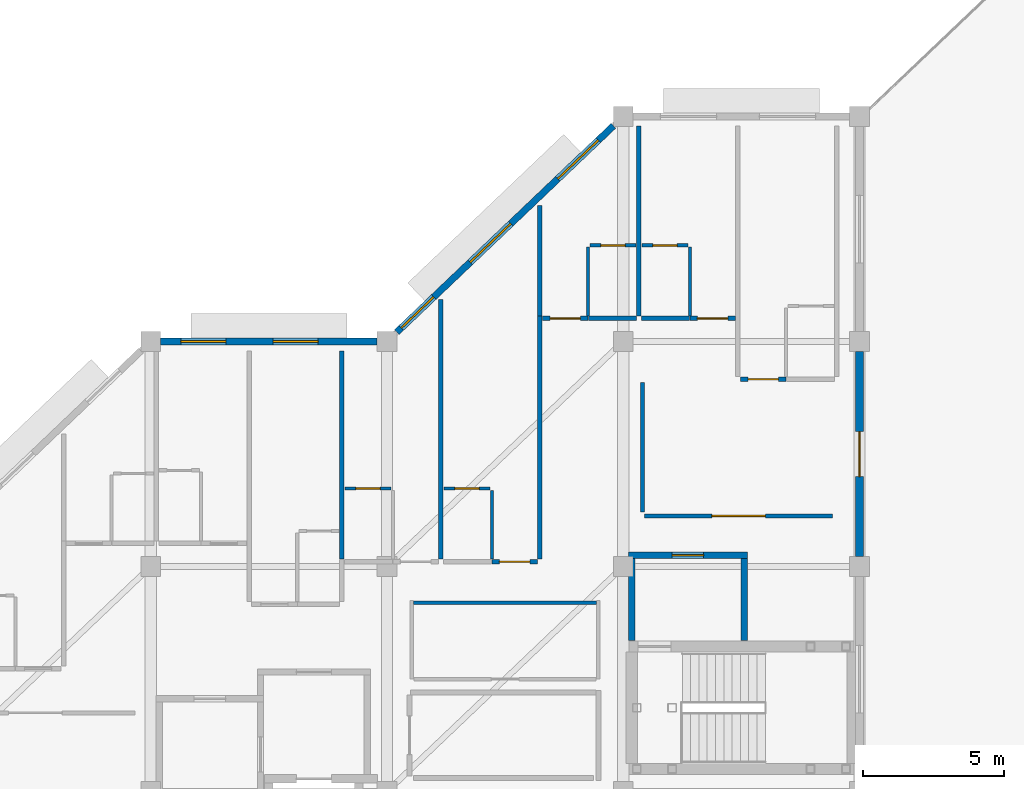
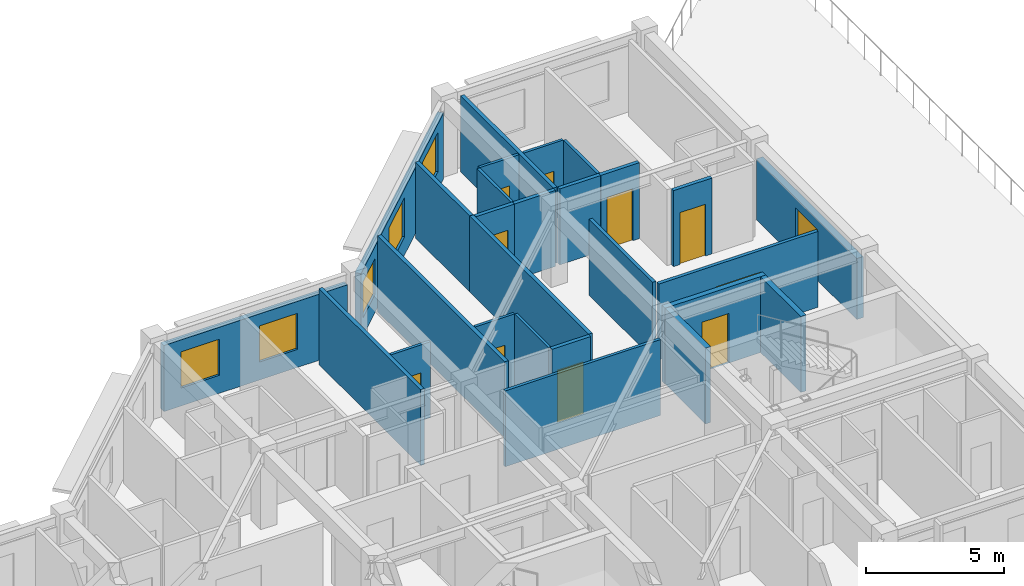
# One storey, part 12 of 16: 27 walls, 11 doors, 5 windows, 16 openings.
"""IFC4 building model written with IfcOpenShell, lengths in metres."""

from ifc_helpers import new_model, si_unit, direction, frame, frame_2d, origin, place, context, subcontext, project, spatial, rectangle, extrude, material, layer, layer_set, type_object, element, fill, save


model = new_model("IFC4")

# Units and contexts
model_context = context("Model", 3, precision=1e-05, world=origin(), true_north=direction((0.0, 1.0)))
body_context = subcontext(model_context, "Body", "Model", "MODEL_VIEW")
ifc_project = project(units=[si_unit("LENGTHUNIT", "METRE"), si_unit("AREAUNIT", "SQUARE_METRE"), si_unit("VOLUMEUNIT", "CUBIC_METRE"), si_unit("PLANEANGLEUNIT", "RADIAN"), si_unit("MASSUNIT", "GRAM", prefix="KILO")], contexts=[model_context])

# Site, building, storey
site_placement = place(None, origin())
site = spatial("IfcSite", under=ifc_project, at=site_placement, CompositionType="ELEMENT")
building_placement = place(site_placement, origin())
building = spatial("IfcBuilding", under=site, at=building_placement, Name="Naruveol Harbour Congress Hotel", CompositionType="ELEMENT")
storey_placement = place(building_placement, frame((0.0, 0.0, 28.800048828125)))
storey = spatial("IfcBuildingStorey", under=building, at=storey_placement, Name="L06", CompositionType="ELEMENT", Elevation=28.800048828125)

# Wall, opening, door
ifc_material_1 = material(Name="Acoustic Double Stud Gypsum", Category="gypsum")
ifc_layer_1 = layer(ifc_material_1, 0.139892578125)
ifc_layer_set_1 = layer_set([ifc_layer_1], Name="Acoustic Double Stud Gypsum")
wall_type_1 = type_object("IfcWallType", Name="ACOUSTIC MEETING PARTITION WALL 140", PredefinedType="PARTITIONING", material=ifc_layer_set_1)
wall_1_placement = place(storey_placement, frame((168.760009765625, 33.800048828125, 0.0), z_axis=(0.0, 0.0, 1.0), x_axis=(1.0, 0.0, 0.0)))
wall_1 = element("IfcWall", 1, at=wall_1_placement, inside=storey, type_object=wall_type_1, Name="Harbour Sunset Salon south entry wall PW-140", PredefinedType="PARTITIONING", context=body_context, shape_type="SweptSolid", body=[
    extrude(rectangle(XDim=6.679931640625, YDim=0.139892578125, at=frame_2d((3.33984375, 0.0))), origin(), (0.0, 0.0, 1.0), 3.364990234375),
])
opening_1_placement = place(wall_1_placement, frame((2.389892578125, 0.0, 0.0)))
opening_1 = element("IfcOpeningElement", 2, at=opening_1_placement, cuts=wall_1, Name="Opening ID-LG-111", PredefinedType="OPENING", context=body_context, shape_type="SweptSolid", body=[
    extrude(rectangle(XDim=1.89990234375, YDim=2.39990234375, at=frame_2d((0.949951171875, 1.199951171875))), frame((0.0, 0.079833984375, 0.0), z_axis=(0.0, -1.0, 0.0), x_axis=(1.0, 0.0, 0.0)), (0.0, 0.0, 1.0), 0.159912109375),
])
ifc_material_2 = material(Name="Timber & Steel Acoustic Leaf", Category="steel")
door_type_1 = type_object("IfcDoorType", Name="RESTAURANT AND LOUNGE GLAZED DOOR 1900X2400", OperationType="DOUBLE_DOOR_SINGLE_SWING", PredefinedType="DOOR", material=ifc_material_2)
door_1_placement = place(opening_1_placement, origin())
door_1 = element("IfcDoor", 3, at=door_1_placement, inside=storey, type_object=door_type_1, Name="Harbour Sunset Salon Entrance Door", OperationType="DOUBLE_DOOR_SINGLE_SWING", OverallHeight=2.39990234375, OverallWidth=1.89990234375, PredefinedType="DOOR", context=body_context, shape_type="SweptSolid", body=[
    extrude(rectangle(XDim=1.89990234375, YDim=2.39990234375, at=frame_2d((0.949951171875, 1.199951171875))), frame((0.0, 0.02490234375, 0.0), z_axis=(0.0, -1.0, 0.0), x_axis=(1.0, 0.0, 0.0)), (0.0, 0.0, 1.0), 0.050048828125),
])
fill(opening_1, door_1)

# Wall
wall_2_placement = place(storey_placement, frame((168.679931640625, 33.93994140625, 0.0), z_axis=(0.0, 0.0, 1.0), x_axis=(0.0, 1.0, 0.0)))
element("IfcWall", 4, at=wall_2_placement, inside=storey, type_object=wall_type_1, Name="Harbour Sunset Salon west partition PW-140", PredefinedType="PARTITIONING", context=body_context, shape_type="SweptSolid", body=[
    extrude(rectangle(XDim=4.610107421875, YDim=0.139892578125, at=frame_2d((2.30517578125, 0.0))), origin(), (0.0, 0.0, 1.0), 3.364990234375),
])

# Wall, opening, door
ifc_material_3 = material(Name="Precast concrete C40/50", Category="concrete")
ifc_layer_2 = layer(ifc_material_3, 0.280029296875)
ifc_layer_set_2 = layer_set([ifc_layer_2], Name="Precast concrete C40/50")
wall_type_2 = type_object("IfcWallType", Name="ARCHITECTURAL PRECAST FACADE WALL 280", PredefinedType="SOLIDWALL", material=ifc_layer_set_2)
wall_3_placement = place(storey_placement, frame((176.39990234375, 39.64990234375, 0.0), z_axis=(0.0, 0.0, 1.0), x_axis=(0.0, -1.0, 0.0)))
wall_3 = element("IfcWall", 5, at=wall_3_placement, inside=storey, type_object=wall_type_2, Name="Hotel east gable wall L06 EW-280", PredefinedType="SOLIDWALL", context=body_context, shape_type="SweptSolid", body=[
    extrude(rectangle(XDim=7.2998046875, YDim=0.280029296875, at=frame_2d((3.64990234375, 0.0))), origin(), (0.0, 0.0, 1.0), 2.699951171875),
])
opening_2_placement = place(wall_3_placement, frame((2.85009765625, 0.0, 0.0)))
opening_2 = element("IfcOpeningElement", 6, at=opening_2_placement, cuts=wall_3, Name="Opening ED-TE-L06", PredefinedType="OPENING", context=body_context, shape_type="SweptSolid", body=[
    extrude(rectangle(XDim=1.60009765625, YDim=2.25, at=frame_2d((0.800048828125, 1.125))), frame((0.0, 0.14990234375, 0.0), z_axis=(0.0, -1.0, 0.0), x_axis=(1.0, 0.0, 0.0)), (0.0, 0.0, 1.0), 0.300048828125),
])
ifc_material_4 = material(Name="Powder-Coated Steel & Insulated Glazing", Category="steel")
door_type_2 = type_object("IfcDoorType", Name="HARBOUR GARDEN TERRACE DOOR 1600X2250", OperationType="DOUBLE_DOOR_SINGLE_SWING", PredefinedType="DOOR", material=ifc_material_4)
door_2_placement = place(opening_2_placement, origin())
door_2 = element("IfcDoor", 7, at=door_2_placement, inside=storey, type_object=door_type_2, Name="L06 East Harbour Terrace Door", OperationType="DOUBLE_DOOR_SINGLE_SWING", OverallHeight=2.25, OverallWidth=1.60009765625, PredefinedType="DOOR", context=body_context, shape_type="SweptSolid", body=[
    extrude(rectangle(XDim=1.60009765625, YDim=2.25, at=frame_2d((0.800048828125, 1.125))), frame((0.0, 0.02490234375, 0.0), z_axis=(0.0, -1.0, 0.0), x_axis=(1.0, 0.0, 0.0)), (0.0, 0.0, 1.0), 0.050048828125),
])
fill(opening_2, door_2)

ifc_material_5 = material(Name="Moisture-Resistant Gypsum Partition", Category="gypsum")
ifc_layer_3 = layer(ifc_material_5, 0.114990234375)
ifc_layer_set_3 = layer_set([ifc_layer_3], Name="Moisture-Resistant Gypsum Partition")
wall_type_3 = type_object("IfcWallType", Name="BATHROOM MOISTURE PARTITION WALL 115", PredefinedType="PARTITIONING", material=ifc_layer_set_3)
wall_4_placement = place(storey_placement, frame((158.10009765625, 34.77001953125, 0.0), z_axis=(0.0, 0.0, 1.0), x_axis=(1.0, 0.0, 0.0)))
wall_4 = element("IfcWall", 8, at=wall_4_placement, inside=storey, type_object=wall_type_3, Name="Bathroom north wall 0782 PW-115", PredefinedType="PARTITIONING", context=body_context, shape_type="SweptSolid", body=[
    extrude(rectangle(XDim=1.64990234375, YDim=0.114990234375, at=frame_2d((0.824951171875, 0.0))), origin(), (0.0, 0.0, 1.0), 3.364990234375),
])
opening_3_placement = place(wall_4_placement, frame((0.39501953125, 0.0, 0.0)))
opening_3 = element("IfcOpeningElement", 9, at=opening_3_placement, cuts=wall_4, Name="Opening BD-RM0782", PredefinedType="OPENING", context=body_context, shape_type="SweptSolid", body=[
    extrude(rectangle(XDim=0.860107421875, YDim=2.1201171875, at=frame_2d((0.43017578125, 1.06005859375))), frame((0.0, 0.0673828125, 0.0), z_axis=(0.0, -1.0, 0.0), x_axis=(1.0, 0.0, 0.0)), (0.0, 0.0, 1.0), 0.135009765625),
])
ifc_material_6 = material(Name="Timber & Steel Acoustic Leaf", Category="steel")
door_type_3 = type_object("IfcDoorType", Name="GUEST BATHROOM DOOR 860X2120", OperationType="NOTDEFINED", PredefinedType="DOOR", material=ifc_material_6)
door_3_placement = place(opening_3_placement, origin())
door_3 = element("IfcDoor", 10, at=door_3_placement, inside=storey, type_object=door_type_3, Name="Bathroom Door 0782", OperationType="SINGLE_SWING_RIGHT", OverallHeight=2.1201171875, OverallWidth=0.860107421875, PredefinedType="DOOR", context=body_context, shape_type="SweptSolid", body=[
    extrude(rectangle(XDim=0.860107421875, YDim=2.1201171875, at=frame_2d((0.43017578125, 1.06005859375))), frame((0.0, 0.02490234375, 0.0), z_axis=(0.0, -1.0, 0.0), x_axis=(1.0, 0.0, 0.0)), (0.0, 0.0, 1.0), 0.050048828125),
])
fill(opening_3, door_3)

# Wall
wall_5_placement = place(storey_placement, frame((163.330078125, 32.260009765625, 0.0), z_axis=(0.0, 0.0, 1.0), x_axis=(0.0, 1.0, 0.0)))
element("IfcWall", 11, at=wall_5_placement, inside=storey, type_object=wall_type_3, Name="Bathroom east wall 0783 PW-115", PredefinedType="PARTITIONING", context=body_context, shape_type="SweptSolid", body=[
    extrude(rectangle(XDim=2.449951171875, YDim=0.114990234375, at=frame_2d((1.22509765625, 0.0))), origin(), (0.0, 0.0, 1.0), 3.364990234375),
])

# Wall, opening, door
wall_6_placement = place(storey_placement, frame((161.6201171875, 34.77001953125, 0.0), z_axis=(0.0, 0.0, 1.0), x_axis=(1.0, 0.0, 0.0)))
wall_6 = element("IfcWall", 12, at=wall_6_placement, inside=storey, type_object=wall_type_3, Name="Bathroom north wall 0783 PW-115", PredefinedType="PARTITIONING", context=body_context, shape_type="SweptSolid", body=[
    extrude(rectangle(XDim=1.64990234375, YDim=0.114990234375, at=frame_2d((0.824951171875, 0.0))), origin(), (0.0, 0.0, 1.0), 3.364990234375),
])
opening_4_placement = place(wall_6_placement, frame((0.39501953125, 0.0, 0.0)))
opening_4 = element("IfcOpeningElement", 13, at=opening_4_placement, cuts=wall_6, Name="Opening BD-RM0783", PredefinedType="OPENING", context=body_context, shape_type="SweptSolid", body=[
    extrude(rectangle(XDim=0.860107421875, YDim=2.1201171875, at=frame_2d((0.43017578125, 1.06005859375))), frame((0.0, 0.0673828125, 0.0), z_axis=(0.0, -1.0, 0.0), x_axis=(1.0, 0.0, 0.0)), (0.0, 0.0, 1.0), 0.135009765625),
])
door_4_placement = place(opening_4_placement, origin())
door_4 = element("IfcDoor", 14, at=door_4_placement, inside=storey, type_object=door_type_3, Name="Bathroom Door 0783", OperationType="SINGLE_SWING_RIGHT", OverallHeight=2.1201171875, OverallWidth=0.860107421875, PredefinedType="DOOR", context=body_context, shape_type="SweptSolid", body=[
    extrude(rectangle(XDim=0.860107421875, YDim=2.1201171875, at=frame_2d((0.43017578125, 1.06005859375))), frame((0.0, 0.02490234375, 0.0), z_axis=(0.0, -1.0, 0.0), x_axis=(1.0, 0.0, 0.0)), (0.0, 0.0, 1.0), 0.050048828125),
])
fill(opening_4, door_4)

# Wall
wall_7_placement = place(storey_placement, frame((166.75, 40.909912109375, 0.0), z_axis=(0.0, 0.0, 1.0), x_axis=(0.0, 1.0, 0.0)))
element("IfcWall", 15, at=wall_7_placement, inside=storey, type_object=wall_type_3, Name="Bathroom west wall 0784 PW-115", PredefinedType="PARTITIONING", context=body_context, shape_type="SweptSolid", body=[
    extrude(rectangle(XDim=2.4501953125, YDim=0.114990234375, at=frame_2d((1.22509765625, 0.0))), origin(), (0.0, 0.0, 1.0), 3.364990234375),
])

# Wall, opening, door
wall_8_placement = place(storey_placement, frame((166.81005859375, 43.419921875, 0.0), z_axis=(0.0, 0.0, 1.0), x_axis=(1.0, 0.0, 0.0)))
wall_8 = element("IfcWall", 16, at=wall_8_placement, inside=storey, type_object=wall_type_3, Name="Bathroom north wall 0784 PW-115", PredefinedType="PARTITIONING", context=body_context, shape_type="SweptSolid", body=[
    extrude(rectangle(XDim=1.64990234375, YDim=0.114990234375, at=frame_2d((0.824951171875, 0.0))), origin(), (0.0, 0.0, 1.0), 3.364990234375),
])
opening_5_placement = place(wall_8_placement, frame((0.39501953125, 0.0, 0.0)))
opening_5 = element("IfcOpeningElement", 17, at=opening_5_placement, cuts=wall_8, Name="Opening BD-RM0784", PredefinedType="OPENING", context=body_context, shape_type="SweptSolid", body=[
    extrude(rectangle(XDim=0.860107421875, YDim=2.1201171875, at=frame_2d((0.43017578125, 1.06005859375))), frame((0.0, 0.0673828125, 0.0), z_axis=(0.0, -1.0, 0.0), x_axis=(1.0, 0.0, 0.0)), (0.0, 0.0, 1.0), 0.135009765625),
])
door_5_placement = place(opening_5_placement, origin())
door_5 = element("IfcDoor", 18, at=door_5_placement, inside=storey, type_object=door_type_3, Name="Bathroom Door 0784", OperationType="SINGLE_SWING_RIGHT", OverallHeight=2.1201171875, OverallWidth=0.860107421875, PredefinedType="DOOR", context=body_context, shape_type="SweptSolid", body=[
    extrude(rectangle(XDim=0.860107421875, YDim=2.1201171875, at=frame_2d((0.43017578125, 1.06005859375))), frame((0.0, 0.02490234375, 0.0), z_axis=(0.0, -1.0, 0.0), x_axis=(1.0, 0.0, 0.0)), (0.0, 0.0, 1.0), 0.050048828125),
])
fill(opening_5, door_5)

# Wall
wall_9_placement = place(storey_placement, frame((170.3701171875, 40.909912109375, 0.0), z_axis=(0.0, 0.0, 1.0), x_axis=(0.0, 1.0, 0.0)))
element("IfcWall", 19, at=wall_9_placement, inside=storey, type_object=wall_type_3, Name="Bathroom east wall 0785 PW-115", PredefinedType="PARTITIONING", context=body_context, shape_type="SweptSolid", body=[
    extrude(rectangle(XDim=2.4501953125, YDim=0.114990234375, at=frame_2d((1.22509765625, 0.0))), origin(), (0.0, 0.0, 1.0), 3.364990234375),
])

# Wall, opening, door
wall_10_placement = place(storey_placement, frame((168.659912109375, 43.419921875, 0.0), z_axis=(0.0, 0.0, 1.0), x_axis=(1.0, 0.0, 0.0)))
wall_10 = element("IfcWall", 20, at=wall_10_placement, inside=storey, type_object=wall_type_3, Name="Bathroom north wall 0785 PW-115", PredefinedType="PARTITIONING", context=body_context, shape_type="SweptSolid", body=[
    extrude(rectangle(XDim=1.650146484375, YDim=0.114990234375, at=frame_2d((0.8251953125, 0.0))), origin(), (0.0, 0.0, 1.0), 3.364990234375),
])
opening_6_placement = place(wall_10_placement, frame((0.39501953125, 0.0, 0.0)))
opening_6 = element("IfcOpeningElement", 21, at=opening_6_placement, cuts=wall_10, Name="Opening BD-RM0785", PredefinedType="OPENING", context=body_context, shape_type="SweptSolid", body=[
    extrude(rectangle(XDim=0.860107421875, YDim=2.1201171875, at=frame_2d((0.43017578125, 1.06005859375))), frame((0.0, 0.0673828125, 0.0), z_axis=(0.0, -1.0, 0.0), x_axis=(1.0, 0.0, 0.0)), (0.0, 0.0, 1.0), 0.135009765625),
])
door_6_placement = place(opening_6_placement, origin())
door_6 = element("IfcDoor", 22, at=door_6_placement, inside=storey, type_object=door_type_3, Name="Bathroom Door 0785", OperationType="SINGLE_SWING_RIGHT", OverallHeight=2.1201171875, OverallWidth=0.860107421875, PredefinedType="DOOR", context=body_context, shape_type="SweptSolid", body=[
    extrude(rectangle(XDim=0.860107421875, YDim=2.1201171875, at=frame_2d((0.43017578125, 1.06005859375))), frame((0.0, 0.02490234375, 0.0), z_axis=(0.0, -1.0, 0.0), x_axis=(1.0, 0.0, 0.0)), (0.0, 0.0, 1.0), 0.050048828125),
])
fill(opening_6, door_6)

# Wall
ifc_material_7 = material(Name="Concrete C40/50", Category="concrete")
ifc_layer_4 = layer(ifc_material_7, 0.219970703125)
ifc_layer_set_4 = layer_set([ifc_layer_4], Name="Concrete C40/50")
wall_type_4 = type_object("IfcWallType", Name="FIRE COMPARTMENT AND LOBBY WALL 220 EI120", PredefinedType="PARTITIONING", material=ifc_layer_set_4)
wall_11_placement = place(storey_placement, frame((168.300048828125, 29.364990234375, 0.0), z_axis=(0.0, 0.0, 1.0), x_axis=(0.0, 1.0, 0.0)))
element("IfcWall", 23, at=wall_11_placement, inside=storey, type_object=wall_type_4, Name="Smoke vestibule ST4 west wall FW-220", PredefinedType="PARTITIONING", context=body_context, shape_type="SweptSolid", body=[
    extrude(rectangle(XDim=2.919921875, YDim=0.219970703125, at=frame_2d((1.4599609375, 0.0))), origin(), (0.0, 0.0, 1.0), 3.364990234375),
])

# Wall, opening, door
wall_12_placement = place(storey_placement, frame((168.18994140625, 32.39990234375, 0.0), z_axis=(0.0, 0.0, 1.0), x_axis=(1.0, 0.0, 0.0)))
wall_12 = element("IfcWall", 24, at=wall_12_placement, inside=storey, type_object=wall_type_4, Name="Smoke vestibule ST4 north wall FW-220", PredefinedType="PARTITIONING", context=body_context, shape_type="SweptSolid", body=[
    extrude(rectangle(XDim=4.219970703125, YDim=0.219970703125, at=frame_2d((2.10986328125, 0.0))), origin(), (0.0, 0.0, 1.0), 3.364990234375),
])
opening_7_placement = place(wall_12_placement, frame((1.550048828125, 0.0, 0.0)))
opening_7 = element("IfcOpeningElement", 25, at=opening_7_placement, cuts=wall_12, Name="Opening FD-ST4-V-L06", PredefinedType="OPENING", context=body_context, shape_type="SweptSolid", body=[
    extrude(rectangle(XDim=1.1201171875, YDim=2.199951171875, at=frame_2d((0.56005859375, 1.10009765625))), frame((0.0, 0.119873046875, 0.0), z_axis=(0.0, -1.0, 0.0), x_axis=(1.0, 0.0, 0.0)), (0.0, 0.0, 1.0), 0.239990234375),
])
ifc_material_8 = material(Name="Timber & Steel Acoustic Leaf", Category="steel")
door_type_4 = type_object("IfcDoorType", Name="VESTIBULE SMOKE CONTROL FIRE DOOR 1120X2200", OperationType="NOTDEFINED", PredefinedType="DOOR", material=ifc_material_8)
door_7_placement = place(opening_7_placement, origin())
door_7 = element("IfcDoor", 26, at=door_7_placement, inside=storey, type_object=door_type_4, Name="Smoke Vestibule Entry Door ST4 L06", OperationType="SINGLE_SWING_LEFT", OverallHeight=2.199951171875, OverallWidth=1.1201171875, PredefinedType="DOOR", context=body_context, shape_type="SweptSolid", body=[
    extrude(rectangle(XDim=1.1201171875, YDim=2.199951171875, at=frame_2d((0.56005859375, 1.10009765625))), frame((0.0, 0.02490234375, 0.0), z_axis=(0.0, -1.0, 0.0), x_axis=(1.0, 0.0, 0.0)), (0.0, 0.0, 1.0), 0.050048828125),
])
fill(opening_7, door_7)

# Walls
wall_13_placement = place(storey_placement, frame((172.300048828125, 29.364990234375, 0.0), z_axis=(0.0, 0.0, 1.0), x_axis=(0.0, 1.0, 0.0)))
element("IfcWall", 27, at=wall_13_placement, inside=storey, type_object=wall_type_4, Name="Smoke vestibule ST4 east wall FW-220", PredefinedType="PARTITIONING", context=body_context, shape_type="SweptSolid", body=[
    extrude(rectangle(XDim=2.919921875, YDim=0.219970703125, at=frame_2d((1.4599609375, 0.0))), origin(), (0.0, 0.0, 1.0), 3.364990234375),
])
ifc_material_9 = material(Name="Autoclaved Aerated Concrete Block", Category="concrete")
ifc_layer_5 = layer(ifc_material_9, 0.159912109375)
ifc_layer_set_5 = layer_set([ifc_layer_5], Name="Autoclaved Aerated Concrete Block")
wall_type_5 = type_object("IfcWallType", Name="HOTEL PARTY AND CORRIDOR WALL 160 EI60", PredefinedType="PARTITIONING", material=ifc_layer_set_5)
wall_14_placement = place(storey_placement, frame((158.0, 32.260009765625, 0.0), z_axis=(0.0, 0.0, 1.0), x_axis=(0.0, 1.0, 0.0)))
element("IfcWall", 28, at=wall_14_placement, inside=storey, type_object=wall_type_5, Name="Hotel party wall 0782 PW-160", PredefinedType="PARTITIONING", context=body_context, shape_type="SweptSolid", body=[
    extrude(rectangle(XDim=7.39990234375, YDim=0.159912109375, at=frame_2d((3.699951171875, 0.0))), origin(), (0.0, 0.0, 1.0), 3.364990234375),
])

# Wall, opening, door
wall_15_placement = place(storey_placement, frame((163.330078125, 32.169921875, 0.0), z_axis=(0.0, 0.0, 1.0), x_axis=(1.0, 0.0, 0.0)))
wall_15 = element("IfcWall", 29, at=wall_15_placement, inside=storey, type_object=wall_type_5, Name="Corridor entry wall 0783 PW-160", PredefinedType="PARTITIONING", context=body_context, shape_type="SweptSolid", body=[
    extrude(rectangle(XDim=1.619873046875, YDim=0.159912109375, at=frame_2d((0.81005859375, 0.0))), origin(), (0.0, 0.0, 1.0), 3.364990234375),
])
opening_8_placement = place(wall_15_placement, frame((0.27001953125, 0.0, 0.0)))
opening_8 = element("IfcOpeningElement", 30, at=opening_8_placement, cuts=wall_15, Name="Opening FD-RM0783", PredefinedType="OPENING", context=body_context, shape_type="SweptSolid", body=[
    extrude(rectangle(XDim=1.080078125, YDim=2.300048828125, at=frame_2d((0.5400390625, 1.14990234375))), frame((0.0, 0.08984375, 0.0), z_axis=(0.0, -1.0, 0.0), x_axis=(1.0, 0.0, 0.0)), (0.0, 0.0, 1.0), 0.179931640625),
])
ifc_material_10 = material(Name="Timber & Steel Acoustic Leaf", Category="steel")
door_type_5 = type_object("IfcDoorType", Name="SUITE ENTRANCE FIRE DOOR 1080X2300", OperationType="NOTDEFINED", PredefinedType="DOOR", material=ifc_material_10)
door_8_placement = place(opening_8_placement, origin())
door_8 = element("IfcDoor", 31, at=door_8_placement, inside=storey, type_object=door_type_5, Name="Hotel Room Door 0783", OperationType="SINGLE_SWING_LEFT", OverallHeight=2.300048828125, OverallWidth=1.080078125, PredefinedType="DOOR", context=body_context, shape_type="SweptSolid", body=[
    extrude(rectangle(XDim=1.080078125, YDim=2.300048828125, at=frame_2d((0.5400390625, 1.14990234375))), frame((0.0, 0.02490234375, 0.0), z_axis=(0.0, -1.0, 0.0), x_axis=(1.0, 0.0, 0.0)), (0.0, 0.0, 1.0), 0.050048828125),
])
fill(opening_8, door_8)

# Walls
wall_16_placement = place(storey_placement, frame((161.52001953125, 32.260009765625, 0.0), z_axis=(0.0, 0.0, 1.0), x_axis=(0.0, 1.0, 0.0)))
element("IfcWall", 32, at=wall_16_placement, inside=storey, type_object=wall_type_5, Name="Hotel party wall 0783 PW-160", PredefinedType="PARTITIONING", context=body_context, shape_type="SweptSolid", body=[
    extrude(rectangle(XDim=9.22998046875, YDim=0.159912109375, at=frame_2d((4.614990234375, 0.0))), origin(), (0.0, 0.0, 1.0), 3.364990234375),
])
wall_17_placement = place(storey_placement, frame((165.0400390625, 32.260009765625, 0.0), z_axis=(0.0, 0.0, 1.0), x_axis=(0.0, 1.0, 0.0)))
element("IfcWall", 33, at=wall_17_placement, inside=storey, type_object=wall_type_5, Name="Hotel end party wall 0783 PW-160", PredefinedType="PARTITIONING", context=body_context, shape_type="SweptSolid", body=[
    extrude(rectangle(XDim=8.639892578125, YDim=0.159912109375, at=frame_2d((4.31982421875, 0.0))), origin(), (0.0, 0.0, 1.0), 3.364990234375),
])

# Wall, opening, door
wall_18_placement = place(storey_placement, frame((165.1298828125, 40.820068359375, 0.0), z_axis=(0.0, 0.0, 1.0), x_axis=(1.0, 0.0, 0.0)))
wall_18 = element("IfcWall", 34, at=wall_18_placement, inside=storey, type_object=wall_type_5, Name="Corridor entry wall 0784 PW-160", PredefinedType="PARTITIONING", context=body_context, shape_type="SweptSolid", body=[
    extrude(rectangle(XDim=1.6201171875, YDim=0.159912109375, at=frame_2d((0.81005859375, 0.0))), origin(), (0.0, 0.0, 1.0), 3.364990234375),
])
opening_9_placement = place(wall_18_placement, frame((0.27001953125, 0.0, 0.0)))
opening_9 = element("IfcOpeningElement", 35, at=opening_9_placement, cuts=wall_18, Name="Opening FD-RM0784", PredefinedType="OPENING", context=body_context, shape_type="SweptSolid", body=[
    extrude(rectangle(XDim=1.080078125, YDim=2.300048828125, at=frame_2d((0.5400390625, 1.14990234375))), frame((0.0, 0.08984375, 0.0), z_axis=(0.0, -1.0, 0.0), x_axis=(1.0, 0.0, 0.0)), (0.0, 0.0, 1.0), 0.179931640625),
])
door_9_placement = place(opening_9_placement, origin())
door_9 = element("IfcDoor", 36, at=door_9_placement, inside=storey, type_object=door_type_5, Name="Hotel Room Door 0784", OperationType="SINGLE_SWING_LEFT", OverallHeight=2.300048828125, OverallWidth=1.080078125, PredefinedType="DOOR", context=body_context, shape_type="SweptSolid", body=[
    extrude(rectangle(XDim=1.080078125, YDim=2.300048828125, at=frame_2d((0.5400390625, 1.14990234375))), frame((0.0, 0.02490234375, 0.0), z_axis=(0.0, -1.0, 0.0), x_axis=(1.0, 0.0, 0.0)), (0.0, 0.0, 1.0), 0.050048828125),
])
fill(opening_9, door_9)

# Walls
wall_19_placement = place(storey_placement, frame((166.760009765625, 40.820068359375, 0.0), z_axis=(0.0, 0.0, 1.0), x_axis=(1.0, 0.0, 0.0)))
element("IfcWall", 37, at=wall_19_placement, inside=storey, type_object=wall_type_5, Name="Corridor wall 0784B PW-160", PredefinedType="PARTITIONING", context=body_context, shape_type="SweptSolid", body=[
    extrude(rectangle(XDim=1.7099609375, YDim=0.159912109375, at=frame_2d((0.85498046875, 0.0))), origin(), (0.0, 0.0, 1.0), 3.364990234375),
])
wall_20_placement = place(storey_placement, frame((165.0400390625, 40.909912109375, 0.0), z_axis=(0.0, 0.0, 1.0), x_axis=(0.0, 1.0, 0.0)))
element("IfcWall", 38, at=wall_20_placement, inside=storey, type_object=wall_type_5, Name="Hotel party wall 0784 PW-160", PredefinedType="PARTITIONING", context=body_context, shape_type="SweptSolid", body=[
    extrude(rectangle(XDim=3.93017578125, YDim=0.159912109375, at=frame_2d((1.965087890625, 0.0))), origin(), (0.0, 0.0, 1.0), 3.364990234375),
])
wall_21_placement = place(storey_placement, frame((168.64990234375, 40.820068359375, 0.0), z_axis=(0.0, 0.0, 1.0), x_axis=(1.0, 0.0, 0.0)))
element("IfcWall", 39, at=wall_21_placement, inside=storey, type_object=wall_type_5, Name="Corridor wall 0785B PW-160", PredefinedType="PARTITIONING", context=body_context, shape_type="SweptSolid", body=[
    extrude(rectangle(XDim=1.710205078125, YDim=0.159912109375, at=frame_2d((0.85498046875, 0.0))), origin(), (0.0, 0.0, 1.0), 3.364990234375),
])

# Wall, opening, door
wall_22_placement = place(storey_placement, frame((170.3701171875, 40.820068359375, 0.0), z_axis=(0.0, 0.0, 1.0), x_axis=(1.0, 0.0, 0.0)))
wall_22 = element("IfcWall", 40, at=wall_22_placement, inside=storey, type_object=wall_type_5, Name="Corridor entry wall 0785 PW-160", PredefinedType="PARTITIONING", context=body_context, shape_type="SweptSolid", body=[
    extrude(rectangle(XDim=1.619873046875, YDim=0.159912109375, at=frame_2d((0.81005859375, 0.0))), origin(), (0.0, 0.0, 1.0), 3.364990234375),
])
opening_10_placement = place(wall_22_placement, frame((0.27001953125, 0.0, 0.0)))
opening_10 = element("IfcOpeningElement", 41, at=opening_10_placement, cuts=wall_22, Name="Opening FD-RM0785", PredefinedType="OPENING", context=body_context, shape_type="SweptSolid", body=[
    extrude(rectangle(XDim=1.080078125, YDim=2.300048828125, at=frame_2d((0.5400390625, 1.14990234375))), frame((0.0, 0.08984375, 0.0), z_axis=(0.0, -1.0, 0.0), x_axis=(1.0, 0.0, 0.0)), (0.0, 0.0, 1.0), 0.179931640625),
])
door_10_placement = place(opening_10_placement, origin())
door_10 = element("IfcDoor", 42, at=door_10_placement, inside=storey, type_object=door_type_5, Name="Hotel Room Door 0785", OperationType="SINGLE_SWING_LEFT", OverallHeight=2.300048828125, OverallWidth=1.080078125, PredefinedType="DOOR", context=body_context, shape_type="SweptSolid", body=[
    extrude(rectangle(XDim=1.080078125, YDim=2.300048828125, at=frame_2d((0.5400390625, 1.14990234375))), frame((0.0, 0.02490234375, 0.0), z_axis=(0.0, -1.0, 0.0), x_axis=(1.0, 0.0, 0.0)), (0.0, 0.0, 1.0), 0.050048828125),
])
fill(opening_10, door_10)

# Wall
wall_23_placement = place(storey_placement, frame((168.56005859375, 40.909912109375, 0.0), z_axis=(0.0, 0.0, 1.0), x_axis=(0.0, 1.0, 0.0)))
element("IfcWall", 43, at=wall_23_placement, inside=storey, type_object=wall_type_5, Name="Hotel party wall 0785 PW-160", PredefinedType="PARTITIONING", context=body_context, shape_type="SweptSolid", body=[
    extrude(rectangle(XDim=6.75, YDim=0.159912109375, at=frame_2d((3.375, 0.0))), origin(), (0.0, 0.0, 1.0), 3.364990234375),
])

# Wall, opening, door
wall_24_placement = place(storey_placement, frame((172.169921875, 38.659912109375, 0.0), z_axis=(0.0, 0.0, 1.0), x_axis=(1.0, 0.0, 0.0)))
wall_24 = element("IfcWall", 44, at=wall_24_placement, inside=storey, type_object=wall_type_5, Name="Corridor entry wall 0786 PW-160", PredefinedType="PARTITIONING", context=body_context, shape_type="SweptSolid", body=[
    extrude(rectangle(XDim=1.6201171875, YDim=0.159912109375, at=frame_2d((0.81005859375, 0.0))), origin(), (0.0, 0.0, 1.0), 3.364990234375),
])
opening_11_placement = place(wall_24_placement, frame((0.27001953125, 0.0, 0.0)))
opening_11 = element("IfcOpeningElement", 45, at=opening_11_placement, cuts=wall_24, Name="Opening FD-RM0786", PredefinedType="OPENING", context=body_context, shape_type="SweptSolid", body=[
    extrude(rectangle(XDim=1.080078125, YDim=2.300048828125, at=frame_2d((0.5400390625, 1.14990234375))), frame((0.0, 0.08984375, 0.0), z_axis=(0.0, -1.0, 0.0), x_axis=(1.0, 0.0, 0.0)), (0.0, 0.0, 1.0), 0.179931640625),
])
door_11_placement = place(opening_11_placement, origin())
door_11 = element("IfcDoor", 46, at=door_11_placement, inside=storey, type_object=door_type_5, Name="Hotel Room Door 0786", OperationType="SINGLE_SWING_LEFT", OverallHeight=2.300048828125, OverallWidth=1.080078125, PredefinedType="DOOR", context=body_context, shape_type="SweptSolid", body=[
    extrude(rectangle(XDim=1.080078125, YDim=2.300048828125, at=frame_2d((0.5400390625, 1.14990234375))), frame((0.0, 0.02490234375, 0.0), z_axis=(0.0, -1.0, 0.0), x_axis=(1.0, 0.0, 0.0)), (0.0, 0.0, 1.0), 0.050048828125),
])
fill(opening_11, door_11)

# Wall, openings, windows
ifc_material_11 = material(Name="Concrete C40/50", Category="concrete")
ifc_layer_6 = layer(ifc_material_11, 0.239990234375)
ifc_layer_set_6 = layer_set([ifc_layer_6], Name="Concrete C40/50")
wall_type_6 = type_object("IfcWallType", Name="INSULATED HOTEL SPANDREL WALL 240", PredefinedType="SOLIDWALL", material=ifc_layer_set_6)
wall_25_placement = place(storey_placement, frame((151.550048828125, 40.0, 0.0), z_axis=(0.0, 0.0, 1.0), x_axis=(1.0, 0.0, 0.0)))
wall_25 = element("IfcWall", 47, at=wall_25_placement, inside=storey, type_object=wall_type_6, Name="Hotel north bay wall L06 EW-240", PredefinedType="SOLIDWALL", context=body_context, shape_type="SweptSolid", body=[
    extrude(rectangle(XDim=7.699951171875, YDim=0.239990234375, at=frame_2d((3.85009765625, 0.0))), origin(), (0.0, 0.0, 1.0), 2.929931640625),
])
opening_12_placement = place(wall_25_placement, frame((0.72509765625, 0.0, 0.800048828125)))
opening_12 = element("IfcOpeningElement", 48, at=opening_12_placement, cuts=wall_25, Name="Opening W-03", PredefinedType="OPENING", context=body_context, shape_type="SweptSolid", body=[
    extrude(rectangle(XDim=1.60009765625, YDim=1.60009765625, at=frame_2d((0.800048828125, 0.800048828125))), frame((0.0, 0.1298828125, 0.0), z_axis=(0.0, -1.0, 0.0), x_axis=(1.0, 0.0, 0.0)), (0.0, 0.0, 1.0), 0.260009765625),
])
opening_13_placement = place(wall_25_placement, frame((4.0, 0.0, 0.800048828125)))
opening_13 = element("IfcOpeningElement", 49, at=opening_13_placement, cuts=wall_25, Name="Opening W-03", PredefinedType="OPENING", context=body_context, shape_type="SweptSolid", body=[
    extrude(rectangle(XDim=1.60009765625, YDim=1.60009765625, at=frame_2d((0.800048828125, 0.800048828125))), frame((0.0, 0.1298828125, 0.0), z_axis=(0.0, -1.0, 0.0), x_axis=(1.0, 0.0, 0.0)), (0.0, 0.0, 1.0), 0.260009765625),
])
ifc_material_12 = material(Name="Low-E Triple Glazing in Thermal Aluminium", Category="aluminium")
window_type_1 = type_object("IfcWindowType", Name="DELUXE GUEST WINDOW 1600X1600", PartitioningType="SINGLE_PANEL", PredefinedType="WINDOW", material=ifc_material_12)
window_1_placement = place(opening_12_placement, origin())
window_1 = element("IfcWindow", 50, at=window_1_placement, inside=storey, type_object=window_type_1, Name="Window W-03 #363", OverallHeight=1.60009765625, OverallWidth=1.60009765625, PartitioningType="SINGLE_PANEL", PredefinedType="WINDOW", context=body_context, shape_type="SweptSolid", body=[
    extrude(rectangle(XDim=1.60009765625, YDim=1.60009765625, at=frame_2d((0.800048828125, 0.800048828125))), frame((0.0, 0.030029296875, 0.0), z_axis=(0.0, -1.0, 0.0), x_axis=(1.0, 0.0, 0.0)), (0.0, 0.0, 1.0), 0.06005859375),
])
fill(opening_12, window_1)
window_2_placement = place(opening_13_placement, origin())
window_2 = element("IfcWindow", 51, at=window_2_placement, inside=storey, type_object=window_type_1, Name="Window W-03 #364", OverallHeight=1.60009765625, OverallWidth=1.60009765625, PartitioningType="SINGLE_PANEL", PredefinedType="WINDOW", context=body_context, shape_type="SweptSolid", body=[
    extrude(rectangle(XDim=1.60009765625, YDim=1.60009765625, at=frame_2d((0.800048828125, 0.800048828125))), frame((0.0, 0.030029296875, 0.0), z_axis=(0.0, -1.0, 0.0), x_axis=(1.0, 0.0, 0.0)), (0.0, 0.0, 1.0), 0.06005859375),
])
fill(opening_13, window_2)

wall_26_placement = place(storey_placement, frame((159.949951171875, 40.3330078125, 0.0), z_axis=(0.0, 0.0, 1.0), x_axis=(0.724105170588, 0.689689569247, 0.0)))
wall_26 = element("IfcWall", 52, at=wall_26_placement, inside=storey, type_object=wall_type_6, Name="Hotel north bay wall L06 EW-240", PredefinedType="SOLIDWALL", context=body_context, shape_type="SweptSolid", body=[
    extrude(rectangle(XDim=10.6337890625, YDim=0.239990234375, at=frame_2d((5.31689453125, 0.0))), origin(), (0.0, 0.0, 1.0), 2.929931640625),
])
opening_14_placement = place(wall_26_placement, frame((0.215087890625, 0.0, 0.800048828125)))
opening_14 = element("IfcOpeningElement", 53, at=opening_14_placement, cuts=wall_26, Name="Opening W-03", PredefinedType="OPENING", context=body_context, shape_type="SweptSolid", body=[
    extrude(rectangle(XDim=1.60009765625, YDim=1.60009765625, at=frame_2d((0.800048828125, 0.800048828125))), frame((0.0, 0.1298828125, 0.0), z_axis=(0.0, -1.0, 0.0), x_axis=(1.0, 0.0, 0.0)), (0.0, 0.0, 1.0), 0.260009765625),
])
opening_15_placement = place(wall_26_placement, frame((3.59912109375, 0.0, 0.800048828125)))
opening_15 = element("IfcOpeningElement", 54, at=opening_15_placement, cuts=wall_26, Name="Opening W-05", PredefinedType="OPENING", context=body_context, shape_type="SweptSolid", body=[
    extrude(rectangle(XDim=2.0, YDim=1.75, at=frame_2d((1.0, 0.875))), frame((0.0, 0.1298828125, 0.0), z_axis=(0.0, -1.0, 0.0), x_axis=(1.0, 0.0, 0.0)), (0.0, 0.0, 1.0), 0.260009765625),
])
opening_16_placement = place(wall_26_placement, frame((7.90087890625, 0.0, 0.800048828125)))
opening_16 = element("IfcOpeningElement", 55, at=opening_16_placement, cuts=wall_26, Name="Opening W-05", PredefinedType="OPENING", context=body_context, shape_type="SweptSolid", body=[
    extrude(rectangle(XDim=2.0, YDim=1.75, at=frame_2d((1.0, 0.875))), frame((0.0, 0.1298828125, 0.0), z_axis=(0.0, -1.0, 0.0), x_axis=(1.0, 0.0, 0.0)), (0.0, 0.0, 1.0), 0.260009765625),
])
window_3_placement = place(opening_14_placement, origin())
window_3 = element("IfcWindow", 56, at=window_3_placement, inside=storey, type_object=window_type_1, Name="Window W-03 #367", OverallHeight=1.60009765625, OverallWidth=1.60009765625, PartitioningType="SINGLE_PANEL", PredefinedType="WINDOW", context=body_context, shape_type="SweptSolid", body=[
    extrude(rectangle(XDim=1.60009765625, YDim=1.60009765625, at=frame_2d((0.800048828125, 0.800048828125))), frame((0.0, 0.030029296875, 0.0), z_axis=(0.0, -1.0, 0.0), x_axis=(1.0, 0.0, 0.0)), (0.0, 0.0, 1.0), 0.06005859375),
])
fill(opening_14, window_3)
ifc_material_13 = material(Name="Low-E Triple Glazing in Thermal Aluminium", Category="aluminium")
window_type_2 = type_object("IfcWindowType", Name="GARDEN SUITE WINDOW 2000X1750", PartitioningType="DOUBLE_PANEL_VERTICAL", PredefinedType="WINDOW", material=ifc_material_13)
window_4_placement = place(opening_15_placement, origin())
window_4 = element("IfcWindow", 57, at=window_4_placement, inside=storey, type_object=window_type_2, Name="Window W-05 #368", OverallHeight=1.75, OverallWidth=2.0, PartitioningType="DOUBLE_PANEL_VERTICAL", PredefinedType="WINDOW", context=body_context, shape_type="SweptSolid", body=[
    extrude(rectangle(XDim=2.0, YDim=1.75, at=frame_2d((1.0, 0.875))), frame((0.0, 0.030029296875, 0.0), z_axis=(0.0, -1.0, 0.0), x_axis=(1.0, 0.0, 0.0)), (0.0, 0.0, 1.0), 0.06005859375),
])
fill(opening_15, window_4)
window_5_placement = place(opening_16_placement, origin())
window_5 = element("IfcWindow", 58, at=window_5_placement, inside=storey, type_object=window_type_2, Name="Window W-05 #369", OverallHeight=1.75, OverallWidth=2.0, PartitioningType="DOUBLE_PANEL_VERTICAL", PredefinedType="WINDOW", context=body_context, shape_type="SweptSolid", body=[
    extrude(rectangle(XDim=2.0, YDim=1.75, at=frame_2d((1.0, 0.875))), frame((0.0, 0.030029296875, 0.0), z_axis=(0.0, -1.0, 0.0), x_axis=(1.0, 0.0, 0.0)), (0.0, 0.0, 1.0), 0.06005859375),
])
fill(opening_16, window_5)

# Wall
ifc_material_14 = material(Name="Acoustic Double Stud Gypsum", Category="gypsum")
ifc_layer_7 = layer(ifc_material_14, 0.125)
ifc_layer_set_7 = layer_set([ifc_layer_7], Name="Acoustic Double Stud Gypsum")
wall_type_7 = type_object("IfcWallType", Name="SERVICE CHASE PARTITION WALL 125", PredefinedType="PARTITIONING", material=ifc_layer_set_7)
wall_27_placement = place(storey_placement, frame((160.54296875, 30.719970703125, 0.0), z_axis=(0.0, 0.0, 1.0), x_axis=(1.0, 0.0, 0.0)))
element("IfcWall", 59, at=wall_27_placement, inside=storey, type_object=wall_type_7, Name="Accessible Restroom north enclosure partition PW-125", PredefinedType="PARTITIONING", context=body_context, shape_type="SweptSolid", body=[
    extrude(rectangle(XDim=6.513916015625, YDim=0.125, at=frame_2d((3.2568359375, 0.0))), origin(), (0.0, 0.0, 1.0), 3.364990234375),
])

save(model, "model.ifc")
